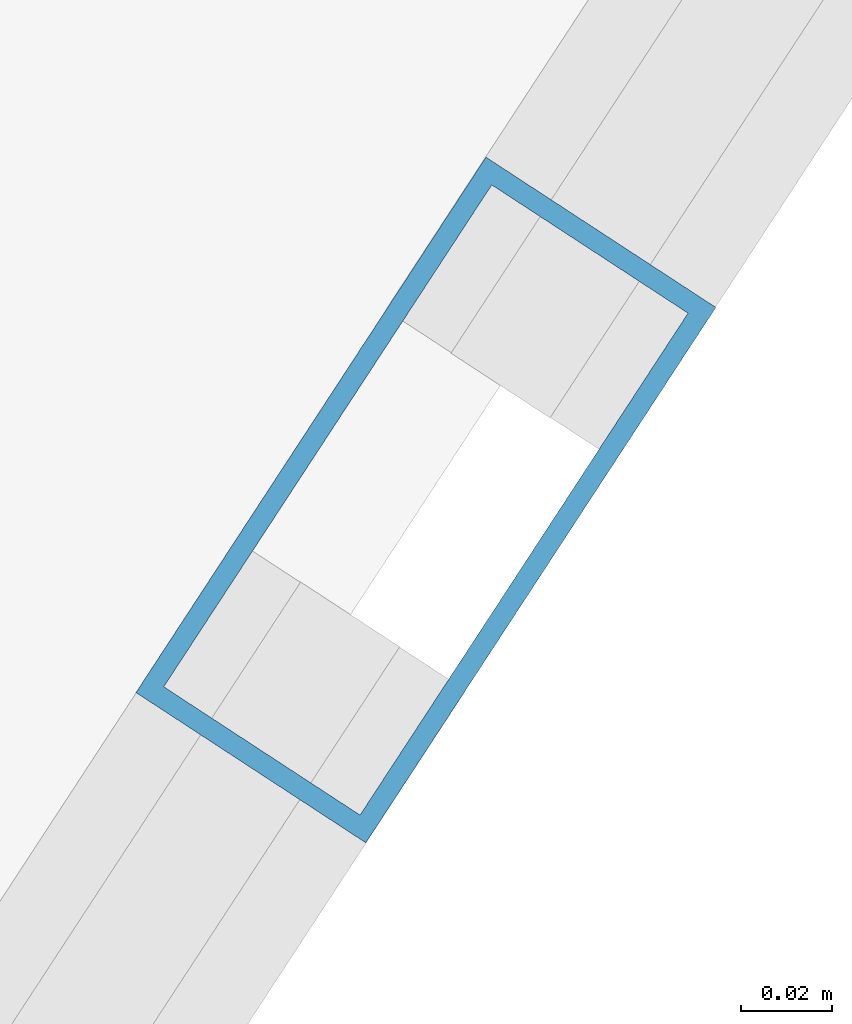
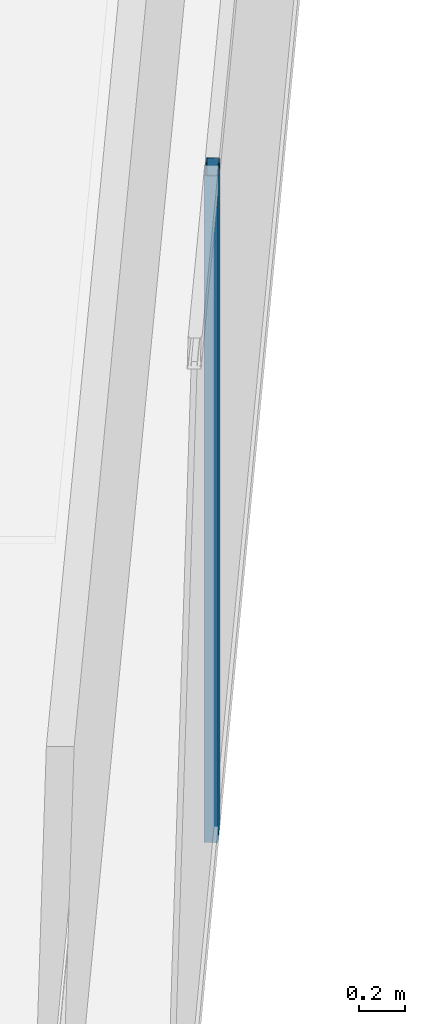
# One storey, part 14 of 25: 1 member, 1 element without a shape of its own.
"""IFC4 building model written with IfcOpenShell, lengths in metres."""

import ifcopenshell
import ifcopenshell.guid

model = None  # the IFC model being written
_history = None  # IfcOwnerHistory: only IFC2X3 demands one
_inside = {}  # id of a spatial element -> (the spatial element, [elements in it])
_under = {}  # id of a project, library or spatial element -> (it, [spatial elements below it])
_declared = {}  # id of a project -> (the project, [libraries it declares])
_typed = {}  # id of a type object -> (the type object, [elements of that type])
_made_of = {}  # id of a material, layer set ... -> (it, [elements and type objects made of it])


def new_model(schema):
    """Start an empty IFC model of exactly this schema.

    Asked for "IFC4X3", IfcOpenShell would pick the latest addendum, in which some entities
    have other attributes; the version numbers below select the first issue.
    IFC2X3 requires an IfcOwnerHistory on every rooted entity: one is made here for all.
    """
    global model, _history
    if schema == "IFC4X3":
        model = ifcopenshell.file(schema_version=(4, 3, 0, 0))
    else:
        model = ifcopenshell.file(schema=schema)
    _inside.clear()
    _under.clear()
    _declared.clear()
    _typed.clear()
    _made_of.clear()
    _history = None
    if model.schema == "IFC2X3":
        org = make("IfcOrganization", Name="unknown")
        user = make(
            "IfcPersonAndOrganization",
            ThePerson=make("IfcPerson", FamilyName="unknown"),
            TheOrganization=org,
        )
        app = make(
            "IfcApplication",
            ApplicationDeveloper=org,
            Version="unknown",
            ApplicationFullName="unknown",
            ApplicationIdentifier="unknown",
        )
        _history = make(
            "IfcOwnerHistory",
            OwningUser=user,
            OwningApplication=app,
            ChangeAction="ADDED",
            CreationDate=0,
        )
    return model


def make(cls, **values):
    """One entity of the class cls with the attributes given. An attribute that is None is left unset."""
    return model.create_entity(
        cls, **{name: value for name, value in values.items() if value is not None}
    )


def rooted(cls, **values):
    """An entity with a GlobalId (a new one), such as an element, a storey or a relation."""
    return make(cls, GlobalId=ifcopenshell.guid.new(), OwnerHistory=_history, **values)


def si_unit(unit_type, name, prefix=None):
    """IfcSIUnit, for example si_unit("LENGTHUNIT", "METRE", prefix="MILLI")."""
    return make("IfcSIUnit", UnitType=unit_type, Prefix=prefix, Name=name)


def assignment(units):
    """IfcUnitAssignment: the units of a project."""
    return None if units is None else make("IfcUnitAssignment", Units=units)


def point(xyz):
    """IfcCartesianPoint."""
    return None if xyz is None else make("IfcCartesianPoint", Coordinates=xyz)


def direction(xyz):
    """IfcDirection."""
    return None if xyz is None else make("IfcDirection", DirectionRatios=xyz)


def frame(location, z_axis=None, x_axis=None):
    """IfcAxis2Placement3D, a coordinate frame: its origin and axes. An axis left out is left unset."""
    return make(
        "IfcAxis2Placement3D",
        Location=point(location),
        Axis=direction(z_axis),
        RefDirection=direction(x_axis),
    )


def frame_2d(location, x_axis=None):
    """IfcAxis2Placement2D, a coordinate frame in the plane: its origin and x axis."""
    return make(
        "IfcAxis2Placement2D", Location=point(location), RefDirection=direction(x_axis)
    )


def origin():
    """The frame at (0, 0, 0) with its axes left unset."""
    return frame((0.0, 0.0, 0.0))


def origin_2d():
    """The frame at (0, 0) in the plane with its x axis left unset."""
    return frame_2d((0.0, 0.0))


def place(relative_to, where):
    """IfcLocalPlacement: puts the frame where relative to a parent placement (None: the world)."""
    return make(
        "IfcLocalPlacement", PlacementRelTo=relative_to, RelativePlacement=where
    )


def context(
    kind, dimensions, precision=None, world=None, true_north=None, identifier=None
):
    """IfcGeometricRepresentationContext, for example the 3D "Model" context."""
    return make(
        "IfcGeometricRepresentationContext",
        ContextIdentifier=identifier,
        ContextType=kind,
        CoordinateSpaceDimension=dimensions,
        Precision=precision,
        WorldCoordinateSystem=world,
        TrueNorth=true_north,
    )


def subcontext(parent, identifier, kind, view, scale=None):
    """IfcGeometricRepresentationSubContext, for example "Body" below "Model"."""
    return make(
        "IfcGeometricRepresentationSubContext",
        ContextIdentifier=identifier,
        ContextType=kind,
        ParentContext=parent,
        TargetScale=scale,
        TargetView=view,
    )


def project(units=None, contexts=None):
    """IfcProject with its units and contexts."""
    return rooted(
        "IfcProject",
        Name="project",
        RepresentationContexts=contexts,
        UnitsInContext=assignment(units),
    )


def spatial(cls, under=None, at=None, **own):
    """A site, building, storey or space (cls), placed at a placement, below another one or the project."""
    s = rooted(cls, ObjectPlacement=at, **own)
    if under is not None:
        _under.setdefault(under.id(), (under, []))[1].append(s)
    return s


def profile(cls, at=None, kind="AREA", **sizes):
    """A parametric profile (cls). Its sizes go by their IFC names, for example OverallWidth=200.0."""
    return make(cls, ProfileType=kind, Position=at, **sizes)


def hollow_rectangle(**sizes):
    """IfcRectangleHollowProfileDef."""
    return profile("IfcRectangleHollowProfileDef", **sizes)


def extrude(swept, where, along, depth):
    """IfcExtrudedAreaSolid: the profile swept, set in the frame where, extruded along a direction by depth."""
    return make(
        "IfcExtrudedAreaSolid",
        SweptArea=swept,
        Position=where,
        ExtrudedDirection=direction(along),
        Depth=depth,
    )


def shape(context_of_items, identifier, shape_type, items):
    """IfcShapeRepresentation: the items that make up one representation, for example the "Body"."""
    return make(
        "IfcShapeRepresentation",
        ContextOfItems=context_of_items,
        RepresentationIdentifier=identifier,
        RepresentationType=shape_type,
        Items=items,
    )


def material(Name=None, Category=None):
    """IfcMaterial."""
    return make("IfcMaterial", Name=Name, Category=Category)


def layer(
    of_material, thickness, ventilated=None, Name=None, Category=None, Priority=None
):
    """IfcMaterialLayer: one layer of a wall or slab, of a material (None: an air gap)."""
    return make(
        "IfcMaterialLayer",
        Material=of_material,
        LayerThickness=thickness,
        IsVentilated=ventilated,
        Name=Name,
        Category=Category,
        Priority=Priority,
    )


def layer_set(layers, Name=None):
    """IfcMaterialLayerSet."""
    return make("IfcMaterialLayerSet", MaterialLayers=layers, LayerSetName=Name)


def material_profile(
    of_material, cross_section, Name=None, Category=None, Priority=None
):
    """IfcMaterialProfile: a cross section and its material."""
    return make(
        "IfcMaterialProfile",
        Name=Name,
        Material=of_material,
        Profile=cross_section,
        Priority=Priority,
        Category=Category,
    )


def profile_set(profiles, Name=None, composite=None):
    """IfcMaterialProfileSet."""
    return make(
        "IfcMaterialProfileSet",
        Name=Name,
        MaterialProfiles=profiles,
        CompositeProfile=composite,
    )


def made_of(thing, what):
    """Note that an element or type object is made of a material, layer set ...; save() writes the relation."""
    if what is not None:
        _made_of.setdefault(what.id(), (what, []))[1].append(thing)
    return thing


def type_object(cls, material=None, **own):
    """A type object (cls), such as IfcWallType, which elements share."""
    return made_of(rooted(cls, **own), material)


def element(
    cls,
    number,
    at=None,
    inside=None,
    cuts=None,
    type_object=None,
    material=None,
    context=None,
    identifier="Body",
    shape_type=None,
    held_by="IfcProductDefinitionShape",
    body=None,
    shapes=None,
    **own,
):
    """One element of the class cls, such as IfcWall. Its Tag is "e" and its number.

    at: its placement. inside: the storey or other place that contains it. cuts: it is an
    opening in that element (IfcRelVoidsElement). A single representation is given by context,
    identifier, shape_type and body (its items); several are given by shapes. held_by: the class
    of the entity that holds the representations. save() writes the other relations.
    """
    e = rooted(cls, Tag="e%d" % number, ObjectPlacement=at, **own)
    if body is not None:
        shapes = [shape(context, identifier, shape_type, body)]
    if shapes is not None:
        e.Representation = make(held_by, Representations=shapes)
    if inside is not None:
        _inside.setdefault(inside.id(), (inside, []))[1].append(e)
    if cuts is not None:
        rooted(
            "IfcRelVoidsElement", RelatingBuildingElement=cuts, RelatedOpeningElement=e
        )
    if type_object is not None:
        _typed.setdefault(type_object.id(), (type_object, []))[1].append(e)
    return made_of(e, material)


def aggregate(whole, parts):
    """IfcRelAggregates: a whole, such as a stair, and the parts it consists of."""
    return rooted("IfcRelAggregates", RelatingObject=whole, RelatedObjects=parts)


def save(model, path):
    """Write the relations noted so far, then the file.

    IfcRelAggregates (storeys below a building ...), IfcRelContainedInSpatialStructure (elements
    in a storey), IfcRelDefinesByType, IfcRelAssociatesMaterial and IfcRelDeclares: one each for
    every whole, place, type object, material and project.
    """
    for whole, parts in _under.values():
        aggregate(whole, parts)
    for where, things in _inside.values():
        rooted(
            "IfcRelContainedInSpatialStructure",
            RelatedElements=things,
            RelatingStructure=where,
        )
    for kind, things in _typed.values():
        rooted("IfcRelDefinesByType", RelatedObjects=things, RelatingType=kind)
    for what, things in _made_of.values():
        rooted("IfcRelAssociatesMaterial", RelatedObjects=things, RelatingMaterial=what)
    for by, libraries in _declared.values():
        rooted("IfcRelDeclares", RelatingContext=by, RelatedDefinitions=libraries)
    model.write(path)


model = new_model("IFC4")

# Units and contexts
model_context = context("Model", 3, precision=1e-05, world=origin(), true_north=direction((0.0, 1.0)))
body_context = subcontext(model_context, "Body", "Model", "MODEL_VIEW")
ifc_project = project(units=[si_unit("LENGTHUNIT", "METRE"), si_unit("AREAUNIT", "SQUARE_METRE"), si_unit("VOLUMEUNIT", "CUBIC_METRE"), si_unit("PLANEANGLEUNIT", "RADIAN"), si_unit("MASSUNIT", "GRAM", prefix="KILO")], contexts=[model_context])

# Site, building, storey
site_placement = place(None, origin())
site = spatial("IfcSite", under=ifc_project, at=site_placement, CompositionType="ELEMENT")
building_placement = place(site_placement, origin())
building = spatial("IfcBuilding", under=site, at=building_placement, Name="Qianvela Tower", CompositionType="ELEMENT")
storey_placement = place(building_placement, frame((0.0, 0.0, 295.39990234375)))
storey = spatial("IfcBuildingStorey", under=building, at=storey_placement, Name="L76", CompositionType="ELEMENT", Elevation=295.39990234375)

# Curtain wall, member
ifc_material_1 = material(Name="Anodised Architectural Aluminium and Low-E Glass", Category="aluminium")
ifc_layer = layer(ifc_material_1, 0.14990234375)
ifc_layer_set = layer_set([ifc_layer], Name="Anodised Architectural Aluminium and Low-E Glass")
curtain_wall_type = type_object("IfcCurtainWallType", Name="CW-COLIV-Z78", PredefinedType="USERDEFINED", material=ifc_layer_set)
curtain_wall_placement = place(storey_placement, origin())
curtain_wall = element("IfcCurtainWall", 1, at=curtain_wall_placement, inside=storey, type_object=curtain_wall_type, Name="L76 CW-COLIV-Z78 Curtain Wall 06C", ObjectType="CURTAIN_WALL_SYSTEM", PredefinedType="USERDEFINED")
ifc_material_2 = material(Name="Anodised Architectural Aluminium 6063-T6", Category="aluminium")
ifc_material_profile = material_profile(ifc_material_2, hollow_rectangle(XDim=0.06005859375, YDim=0.139892578125, WallThickness=0.00439453125, at=origin_2d()), Name="ALU-MULL-60x140")
ifc_profile_set = profile_set([ifc_material_profile], Name="Anodised Architectural Aluminium 6063-T6")
member_type = type_object("IfcMemberType", Name="CW-COLIV-Z78-MULL", PredefinedType="MULLION", material=ifc_profile_set)
member_placement = place(storey_placement, frame((49.15869140625, 23.933837890625, 0.0), z_axis=(0.0, 0.0, 1.0), x_axis=(-0.837079522696, 0.547081230424, 0.0)))
member = element("IfcMember", 2, at=member_placement, type_object=member_type, Name="CW-6 mullion 3", PredefinedType="MULLION", context=body_context, shape_type="SweptSolid", body=[
    extrude(hollow_rectangle(XDim=0.06005859375, YDim=0.139892578125, WallThickness=0.00439453125, at=origin_2d()), origin(), (0.0, 0.0, 1.0), 3.52001953125),
])
aggregate(curtain_wall, [member])

save(model, "model.ifc")
